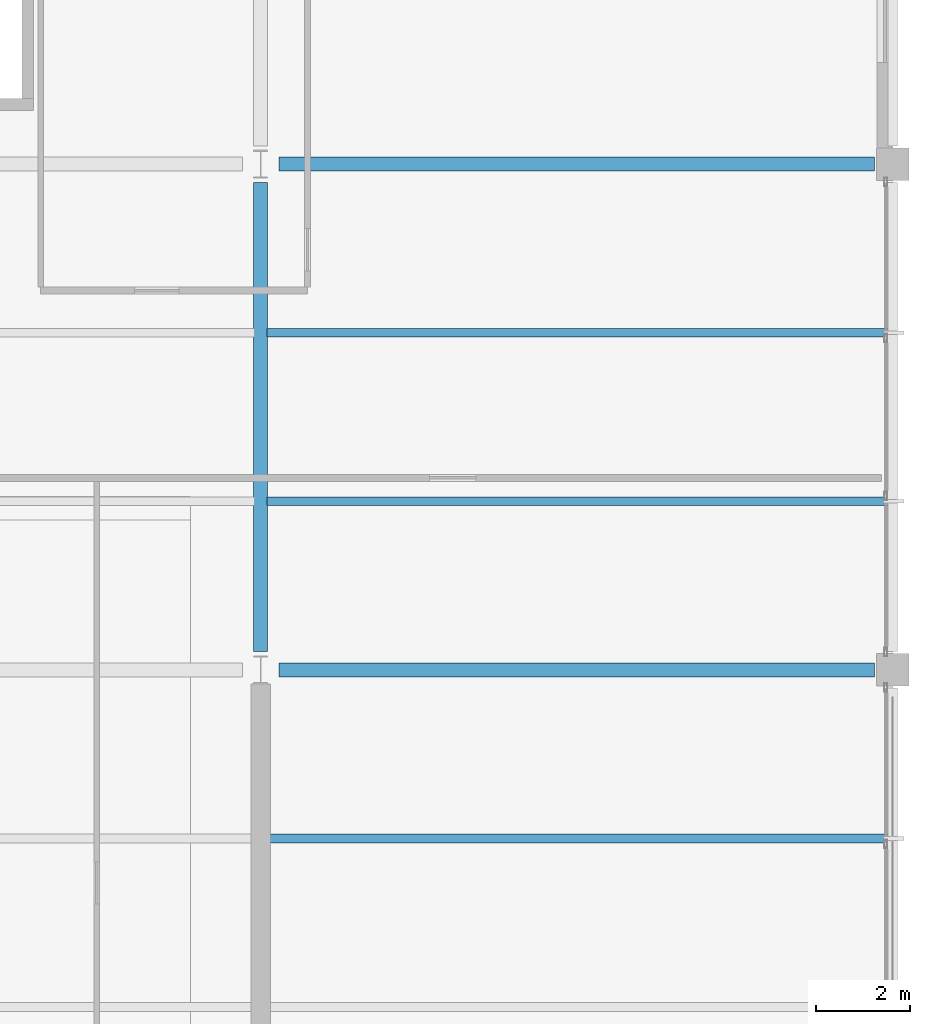
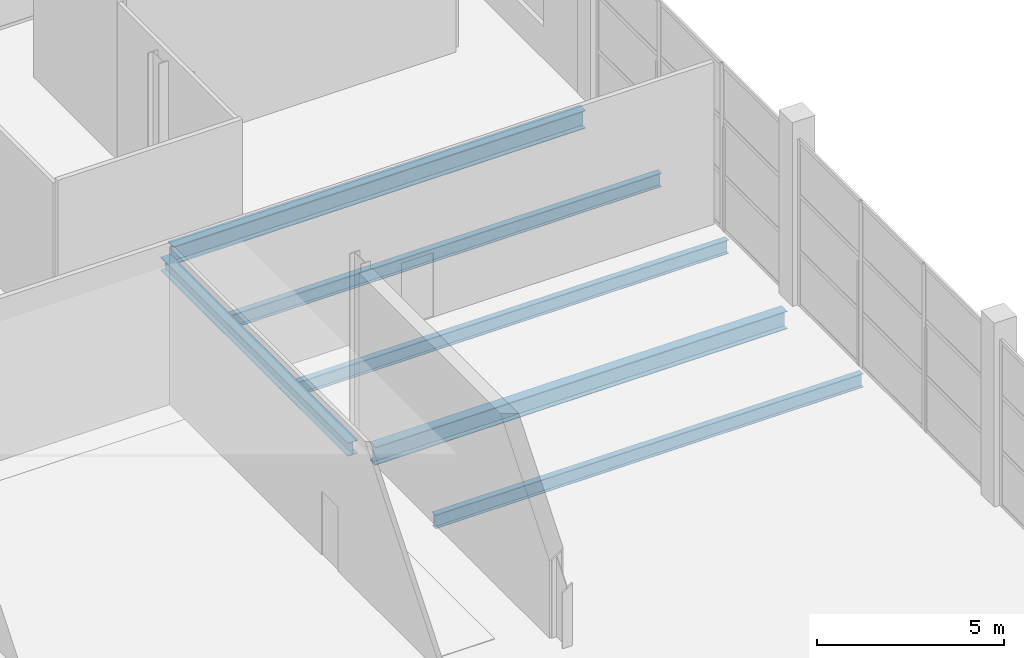
# One storey, part 143 of 191: 6 beams.
"""IFC4 building model written with IfcOpenShell, lengths in metres."""

from ifc_helpers import new_model, si_unit, direction, frame, origin, origin_2d, place, context, subcontext, project, spatial, i_section, extrude, material, material_profile, profile_set, type_object, element, save


model = new_model("IFC4")

# Units and contexts
model_context = context("Model", 3, precision=1e-05, world=origin(), true_north=direction((0.0, 1.0)))
body_context = subcontext(model_context, "Body", "Model", "MODEL_VIEW")
ifc_project = project(units=[si_unit("LENGTHUNIT", "METRE"), si_unit("AREAUNIT", "SQUARE_METRE"), si_unit("VOLUMEUNIT", "CUBIC_METRE"), si_unit("PLANEANGLEUNIT", "RADIAN"), si_unit("MASSUNIT", "GRAM", prefix="KILO")], contexts=[model_context])

# Site, building, storey
site_placement = place(None, origin())
site = spatial("IfcSite", under=ifc_project, at=site_placement, CompositionType="ELEMENT")
building_placement = place(site_placement, origin())
building = spatial("IfcBuilding", under=site, at=building_placement, Name="Tamarisk Ironworks Central Station", CompositionType="ELEMENT")
storey_placement = place(building_placement, frame((0.0, 0.0, 6.60009765625)))
storey = spatial("IfcBuildingStorey", under=building, at=storey_placement, Name="L01", CompositionType="ELEMENT", Elevation=6.60009765625)

# Beams
ifc_material = material(Name="Structural steel S355J2", Category="steel")
ifc_material_profile_1 = material_profile(ifc_material, i_section(OverallWidth=0.18994140625, OverallDepth=0.449951171875, WebThickness=0.009521484375, FlangeThickness=0.0146484375, at=origin_2d()), Name="IPE 450")
ifc_profile_set_1 = profile_set([ifc_material_profile_1], Name="Structural steel S355J2")
beam_type_1 = type_object("IfcBeamType", Name="BM-B03", PredefinedType="BEAM", material=ifc_profile_set_1)
beam_1_placement = place(storey_placement, frame((166.699951171875, 97.199951171875, -0.47509765625), z_axis=(1.0, 0.0, 0.0), x_axis=(0.0, 1.0, 0.0)))
element("IfcBeam", 1, at=beam_1_placement, inside=storey, type_object=beam_type_1, Name="L01 secondary composite beam 0090", PredefinedType="BEAM", context=body_context, shape_type="SweptSolid", body=[
    extrude(i_section(OverallWidth=0.18994140625, OverallDepth=0.449951171875, WebThickness=0.009521484375, FlangeThickness=0.0146484375, at=origin_2d()), origin(), (0.0, 0.0, 1.0), 13.215087890625),
])
for number, where, z_axis, x_axis, name in (
    (2, (166.635009765625, 104.39990234375, -0.47509765625), (1.0, 0.0, 0.0), (0.0, 1.0, 0.0), "L01 secondary composite beam 0091"),
    (3, (166.635009765625, 108.0, -0.47509765625), (1.0, 0.0, 0.0), (0.0, 1.0, 0.0), "L01 secondary composite beam 0092"),
):
    element("IfcBeam", number, at=place(storey_placement, frame(where, z_axis=z_axis, x_axis=x_axis)), inside=storey, type_object=beam_type_1, Name=name, PredefinedType="BEAM", context=body_context, shape_type="SweptSolid", body=[
        extrude(i_section(OverallWidth=0.18994140625, OverallDepth=0.449951171875, WebThickness=0.009521484375, FlangeThickness=0.0146484375, at=origin_2d()), origin(), (0.0, 0.0, 1.0), 13.280029296875),
    ])
ifc_material_profile_2 = material_profile(ifc_material, i_section(OverallWidth=0.300048828125, OverallDepth=0.590087890625, WebThickness=0.012939453125, FlangeThickness=0.02490234375, at=origin_2d()), Name="HEA 600")
ifc_profile_set_2 = profile_set([ifc_material_profile_2], Name="Structural steel S355J2")
beam_type_2 = type_object("IfcBeamType", Name="BM-G03", PredefinedType="BEAM", material=ifc_profile_set_2)
for number, where, z_axis, x_axis, name in (
    (4, (166.887939453125, 100.800048828125, -0.545166015625), (1.0, 0.0, 0.0), (0.0, 1.0, 0.0), "L01 primary girder X-0125"),
    (5, (166.887939453125, 111.60009765625, -0.545166015625), (1.0, 0.0, 0.0), (0.0, 1.0, 0.0), "L01 primary girder X-0142"),
):
    element("IfcBeam", number, at=place(storey_placement, frame(where, z_axis=z_axis, x_axis=x_axis)), inside=storey, type_object=beam_type_2, Name=name, PredefinedType="BEAM", context=body_context, shape_type="SweptSolid", body=[
        extrude(i_section(OverallWidth=0.300048828125, OverallDepth=0.590087890625, WebThickness=0.012939453125, FlangeThickness=0.02490234375, at=origin_2d()), origin(), (0.0, 0.0, 1.0), 12.72412109375),
    ])
ifc_material_profile_3 = material_profile(ifc_material, i_section(OverallWidth=0.300048828125, OverallDepth=0.43994140625, WebThickness=0.011474609375, FlangeThickness=0.02099609375, at=origin_2d()), Name="HEA 450")
ifc_profile_set_3 = profile_set([ifc_material_profile_3], Name="Structural steel S355J2")
beam_type_3 = type_object("IfcBeamType", Name="BM-G06", PredefinedType="BEAM", material=ifc_profile_set_3)
beam_2_placement = place(storey_placement, frame((166.5, 101.18798828125, -0.47021484375), z_axis=(0.0, 1.0, 0.0), x_axis=(-1.0, 0.0, 0.0)))
element("IfcBeam", 6, at=beam_2_placement, inside=storey, type_object=beam_type_3, Name="L01 primary girder Y-0285", PredefinedType="BEAM", context=body_context, shape_type="SweptSolid", body=[
    extrude(i_section(OverallWidth=0.300048828125, OverallDepth=0.43994140625, WebThickness=0.011474609375, FlangeThickness=0.02099609375, at=origin_2d()), origin(), (0.0, 0.0, 1.0), 10.02392578125),
])

save(model, "model.ifc")
